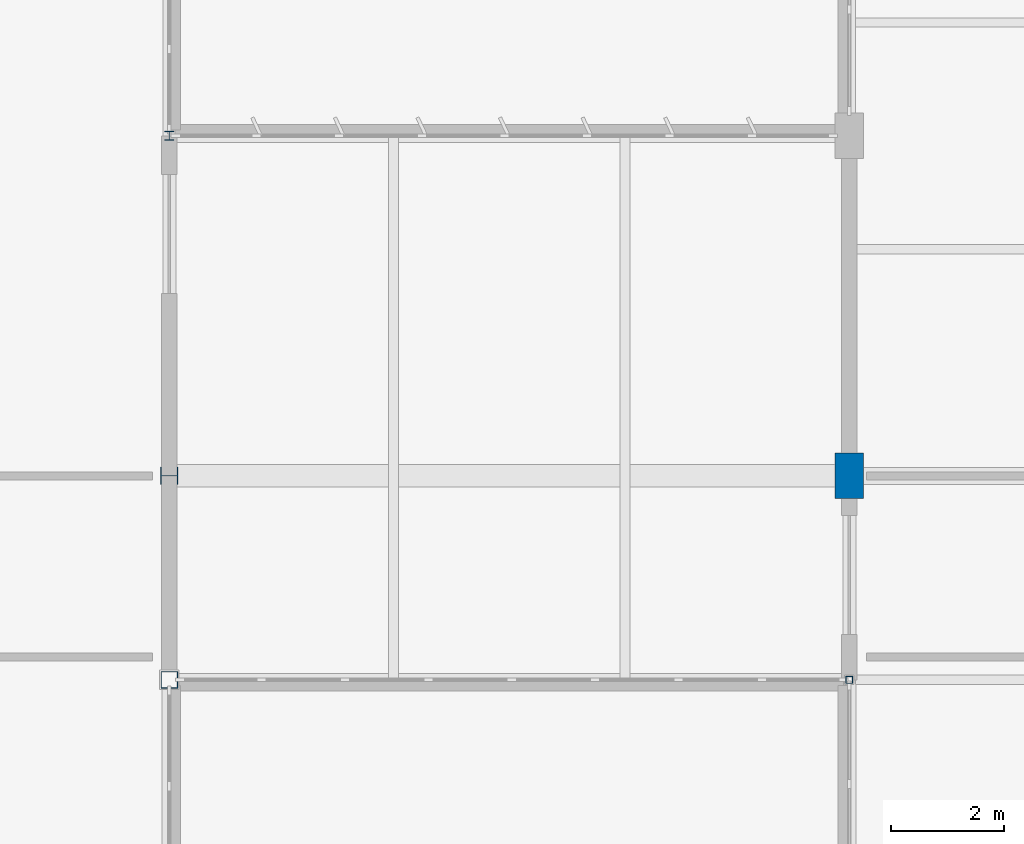
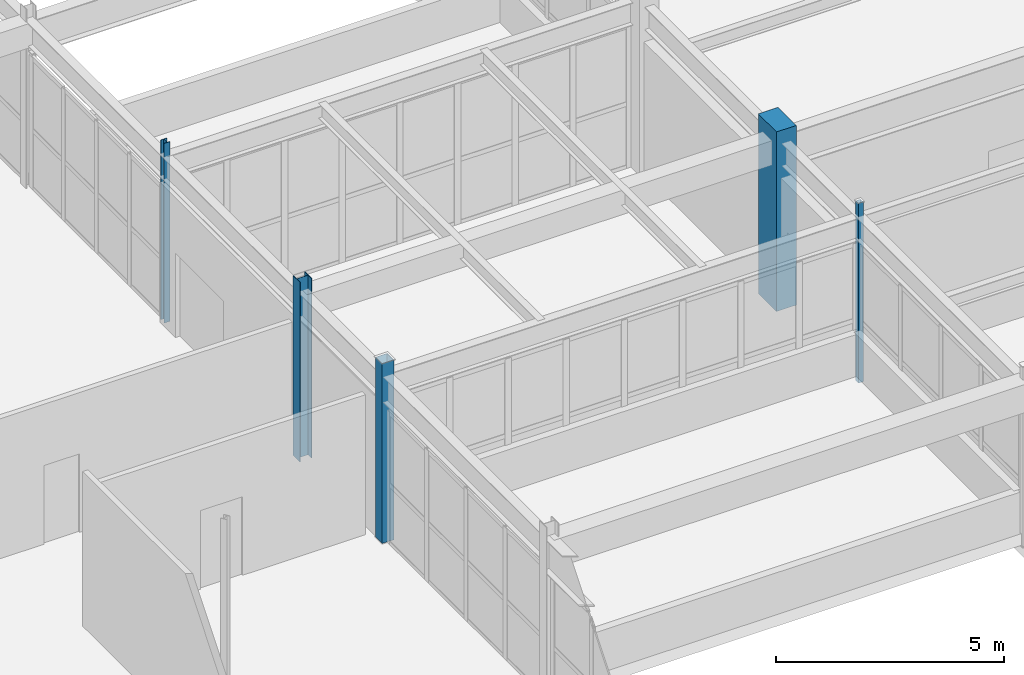
# One storey, part 40 of 226: 5 columns.
"""IFC4 building model written with IfcOpenShell, lengths in metres."""

from ifc_helpers import new_model, si_unit, direction, frame, origin, origin_2d, place, context, subcontext, project, spatial, rectangle, hollow_rectangle, i_section, extrude, material, material_profile, profile_set, type_object, element, save


model = new_model("IFC4")

# Units and contexts
model_context = context("Model", 3, precision=1e-05, world=origin(), true_north=direction((0.0, 1.0)))
body_context = subcontext(model_context, "Body", "Model", "MODEL_VIEW")
ifc_project = project(units=[si_unit("LENGTHUNIT", "METRE"), si_unit("AREAUNIT", "SQUARE_METRE"), si_unit("VOLUMEUNIT", "CUBIC_METRE"), si_unit("PLANEANGLEUNIT", "RADIAN"), si_unit("MASSUNIT", "GRAM", prefix="KILO")], contexts=[model_context])

# Site, building, storey
site_placement = place(None, origin())
site = spatial("IfcSite", under=ifc_project, at=site_placement, CompositionType="ELEMENT")
building_placement = place(site_placement, origin())
building = spatial("IfcBuilding", under=site, at=building_placement, Name="Tarnwether General Hospital", CompositionType="ELEMENT")
storey_placement = place(building_placement, frame((0.0, 0.0, 4.800048828125)))
storey = spatial("IfcBuildingStorey", under=building, at=storey_placement, Name="L01", CompositionType="ELEMENT", Elevation=4.800048828125)

# Columns
ifc_material_1 = material(Name="Steel Grade 350 (350 MPa)", Category="steel")
ifc_material_profile_1 = material_profile(ifc_material_1, i_section(OverallWidth=0.304931640625, OverallDepth=0.30810546875, WebThickness=0.010009765625, FlangeThickness=0.015380859375, at=origin_2d()), Name="310UC96.8")
ifc_profile_set_1 = profile_set([ifc_material_profile_1], Name="Steel Grade 350 (350 MPa)")
column_type_1 = type_object("IfcColumnType", Name="COL-08", PredefinedType="COLUMN", material=ifc_profile_set_1)
column_1_placement = place(storey_placement, frame((132.0, 21.60009765625, 0.0), z_axis=(0.0, 0.0, 1.0), x_axis=(0.0, 1.0, 0.0)))
element("IfcColumn", 1, at=column_1_placement, inside=storey, type_object=column_type_1, Name="Column COLG-L01-13200_2160", PredefinedType="COLUMN", context=body_context, shape_type="SweptSolid", body=[
    extrude(i_section(OverallWidth=0.304931640625, OverallDepth=0.30810546875, WebThickness=0.010009765625, FlangeThickness=0.015380859375, at=origin_2d()), origin(), (0.0, 0.0, 1.0), 4.800048828125),
])
ifc_material_2 = material(Name="Concrete 50 MPa", Category="concrete")
ifc_material_profile_2 = material_profile(ifc_material_2, rectangle(XDim=0.5, YDim=0.800048828125, at=origin_2d()), Name="RC-PIL-500x800")
ifc_profile_set_2 = profile_set([ifc_material_profile_2], Name="Concrete 50 MPa")
column_type_2 = type_object("IfcColumnType", Name="COL-23", PredefinedType="PILASTER", material=ifc_profile_set_2)
column_2_placement = place(storey_placement, frame((144.0, 21.60009765625, 0.0), z_axis=(0.0, 0.0, 1.0), x_axis=(1.0, 0.0, 0.0)))
element("IfcColumn", 2, at=column_2_placement, inside=storey, type_object=column_type_2, Name="Column COLG-L01-14400_2160", PredefinedType="PILASTER", context=body_context, shape_type="SweptSolid", body=[
    extrude(rectangle(XDim=0.5, YDim=0.800048828125, at=origin_2d()), origin(), (0.0, 0.0, 1.0), 4.800048828125),
])
ifc_material_3 = material(Name="Steel Grade C350L0 (350 MPa)", Category="steel")
ifc_material_profile_3 = material_profile(ifc_material_3, hollow_rectangle(XDim=0.300048828125, YDim=0.300048828125, WallThickness=0.012451171875, at=origin_2d()), Name="SHS300x300x12.5")
ifc_profile_set_3 = profile_set([ifc_material_profile_3], Name="Steel Grade C350L0 (350 MPa)")
column_type_3 = type_object("IfcColumnType", Name="COL-30", PredefinedType="COLUMN", material=ifc_profile_set_3)
column_3_placement = place(storey_placement, frame((132.0, 18.0, 0.0), z_axis=(0.0, 0.0, 1.0), x_axis=(1.0, 0.0, 0.0)))
element("IfcColumn", 3, at=column_3_placement, inside=storey, type_object=column_type_3, Name="Column COLG-L01-13200_1800", PredefinedType="COLUMN", context=body_context, shape_type="SweptSolid", body=[
    extrude(hollow_rectangle(XDim=0.300048828125, YDim=0.300048828125, WallThickness=0.012451171875, at=origin_2d()), origin(), (0.0, 0.0, 1.0), 4.800048828125),
])
ifc_material_4 = material(Name="Steel Grade 350 (350 MPa)", Category="steel")
ifc_material_profile_4 = material_profile(ifc_material_4, i_section(OverallWidth=0.153076171875, OverallDepth=0.157958984375, WebThickness=0.006591796875, FlangeThickness=0.009521484375, at=origin_2d()), Name="150UC30.0")
ifc_profile_set_4 = profile_set([ifc_material_profile_4], Name="Steel Grade 350 (350 MPa)")
column_type_4 = type_object("IfcColumnType", Name="COL-31", PredefinedType="COLUMN", material=ifc_profile_set_4)
column_4_placement = place(storey_placement, frame((132.0, 27.60009765625, 0.0), z_axis=(0.0, 0.0, 1.0), x_axis=(1.0, 0.0, 0.0)))
element("IfcColumn", 4, at=column_4_placement, inside=storey, type_object=column_type_4, Name="Column COLG-L01-13200_2760", PredefinedType="COLUMN", context=body_context, shape_type="SweptSolid", body=[
    extrude(i_section(OverallWidth=0.153076171875, OverallDepth=0.157958984375, WebThickness=0.006591796875, FlangeThickness=0.009521484375, at=origin_2d()), origin(), (0.0, 0.0, 1.0), 4.800048828125),
])
ifc_material_5 = material(Name="Steel Grade C350L0 (350 MPa)", Category="steel")
ifc_material_profile_5 = material_profile(ifc_material_5, hollow_rectangle(XDim=0.125, YDim=0.125, WallThickness=0.006103515625, at=origin_2d()), Name="SHS125x125x6")
ifc_profile_set_5 = profile_set([ifc_material_profile_5], Name="Steel Grade C350L0 (350 MPa)")
column_type_5 = type_object("IfcColumnType", Name="COL-34", PredefinedType="COLUMN", material=ifc_profile_set_5)
column_5_placement = place(storey_placement, frame((144.0, 18.0, 0.0), z_axis=(0.0, 0.0, 1.0), x_axis=(1.0, 0.0, 0.0)))
element("IfcColumn", 5, at=column_5_placement, inside=storey, type_object=column_type_5, Name="Column COLG-L01-14400_1800", PredefinedType="COLUMN", context=body_context, shape_type="SweptSolid", body=[
    extrude(hollow_rectangle(XDim=0.125, YDim=0.125, WallThickness=0.006103515625, at=origin_2d()), origin(), (0.0, 0.0, 1.0), 4.800048828125),
])

save(model, "model.ifc")
